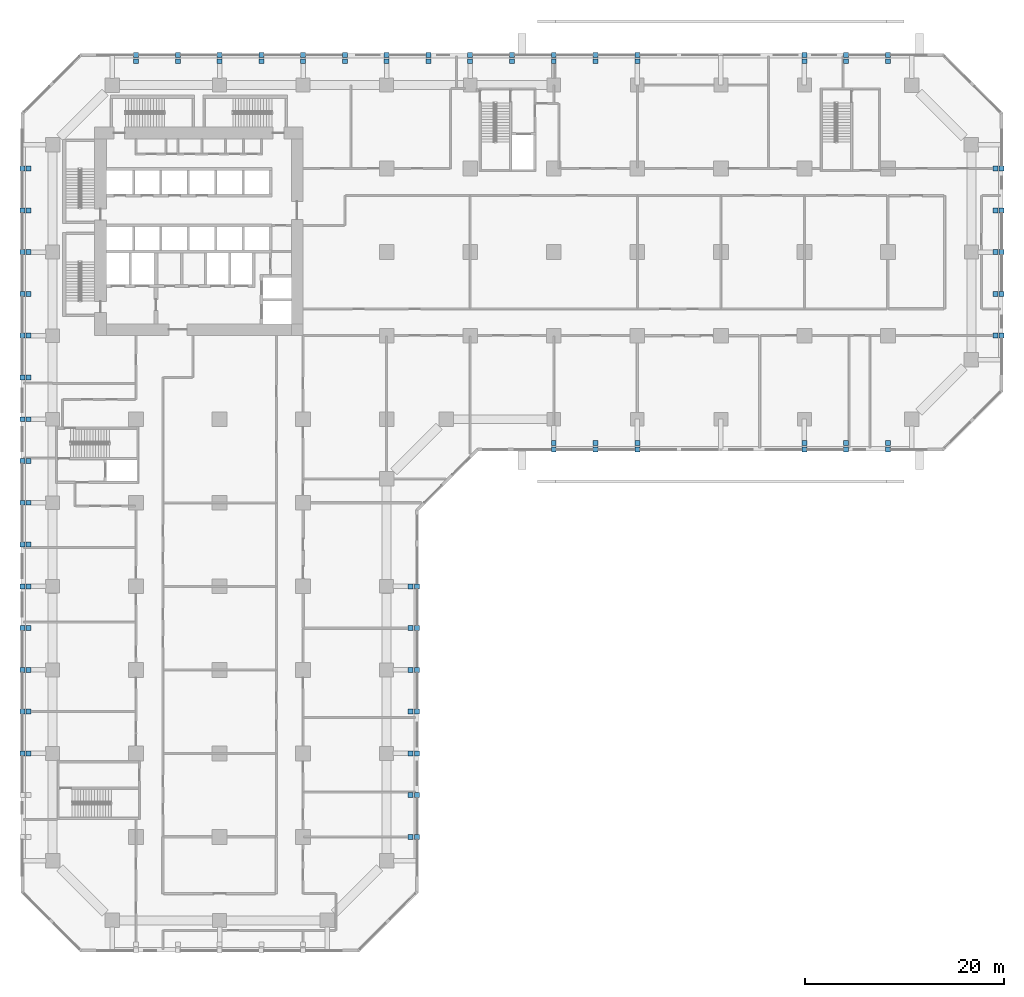
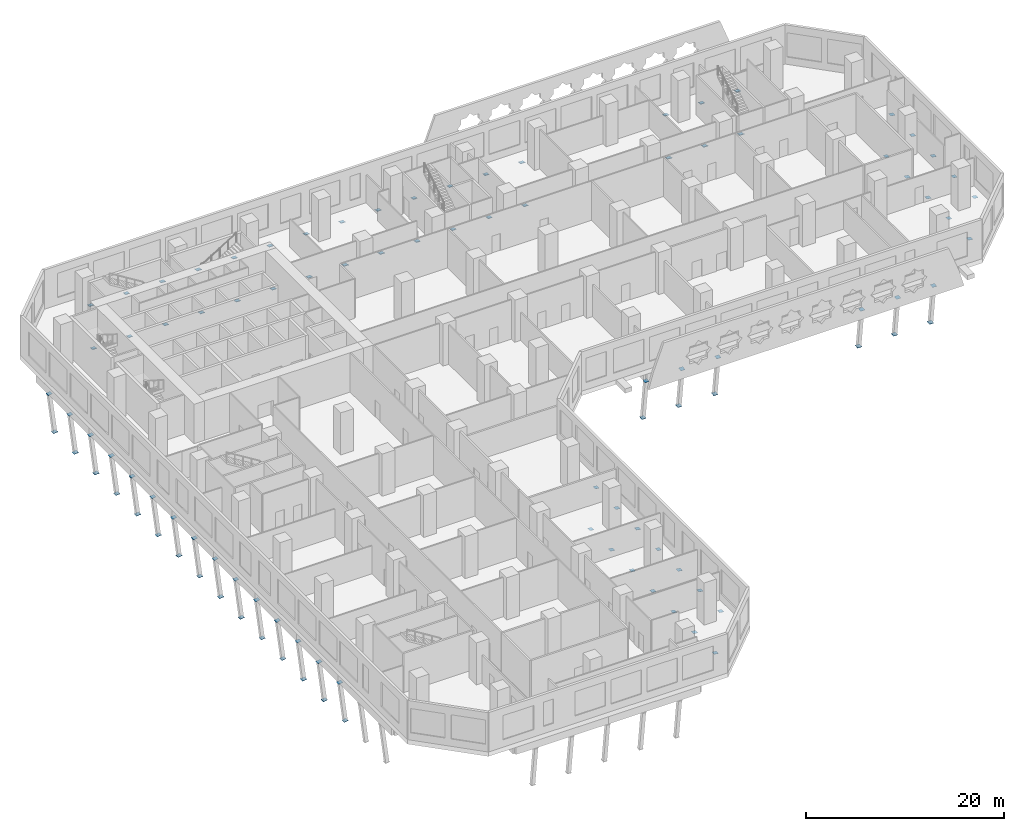
# One storey, part 14 of 21: 98 discrete accessories.
"""IFC4 building model written with IfcOpenShell, lengths in metres."""

from ifc_helpers import new_model, si_unit, direction, frame, origin, origin_2d, place, context, subcontext, project, spatial, rectangle, extrude, material, material_profile, profile_set, type_object, element, save


model = new_model("IFC4")

# Units and contexts
model_context = context("Model", 3, precision=1e-05, world=origin(), true_north=direction((0.0, 1.0)))
body_context = subcontext(model_context, "Body", "Model", "MODEL_VIEW")
ifc_project = project(units=[si_unit("LENGTHUNIT", "METRE"), si_unit("AREAUNIT", "SQUARE_METRE"), si_unit("VOLUMEUNIT", "CUBIC_METRE"), si_unit("PLANEANGLEUNIT", "RADIAN"), si_unit("MASSUNIT", "GRAM", prefix="KILO")], contexts=[model_context])

# Site, building, storey
site_placement = place(None, origin())
site = spatial("IfcSite", under=ifc_project, at=site_placement, CompositionType="ELEMENT")
building_placement = place(site_placement, origin())
building = spatial("IfcBuilding", under=site, at=building_placement, Name="Kawkab Arch Medical Tower", CompositionType="ELEMENT")
storey_placement = place(building_placement, frame((0.0, 0.0, 23.800048828125)))
storey = spatial("IfcBuildingStorey", under=building, at=storey_placement, Name="L05", CompositionType="ELEMENT", Elevation=23.800048828125)

# Discrete accessories
ifc_material = material(Name="Steel S355", Category="steel")
ifc_material_profile = material_profile(ifc_material, rectangle(XDim=0.5, YDim=0.5, at=origin_2d()), Name="End plate 500 x 20")
ifc_profile_set = profile_set([ifc_material_profile], Name="Steel S355")
discrete_accessory_type = type_object("IfcDiscreteAccessoryType", Name="End plate 500 x 20", PredefinedType="ANCHORPLATE", material=ifc_profile_set)
for number, where, z_axis, x_axis, name in (
    (1, (-2.402587890625, -8.39990234375, -6.380126953125), (0.132955393257, 0.0, -0.991122022459), (0.0, 1.0, 0.0), "End plate PRS1"),
    (2, (-3.0283203125, -8.39990234375, -1.469970703125), (-0.132955393257, 0.0, 0.991122022459), (0.0, -1.0, 0.0), "End plate PRS1"),
    (3, (-2.402587890625, -12.60009765625, -6.380126953125), (0.132955393257, 0.0, -0.991122022459), (0.0, 1.0, 0.0), "End plate PRS1"),
    (4, (-3.0283203125, -12.60009765625, -1.469970703125), (-0.132955393257, 0.0, 0.991122022459), (0.0, -1.0, 0.0), "End plate PRS1"),
    (5, (-2.402587890625, -16.800048828125, -6.380126953125), (0.132955393257, 0.0, -0.991122022459), (0.0, 1.0, 0.0), "End plate PRS1"),
    (6, (-3.0283203125, -16.800048828125, -1.469970703125), (-0.132955393257, 0.0, 0.991122022459), (0.0, -1.0, 0.0), "End plate PRS1"),
    (7, (-2.402587890625, -21.0, -6.380126953125), (0.132955393257, 0.0, -0.991122022459), (0.0, 1.0, 0.0), "End plate PRS1"),
    (8, (-3.0283203125, -21.0, -1.469970703125), (-0.132955393257, 0.0, 0.991122022459), (0.0, -1.0, 0.0), "End plate PRS1"),
    (9, (-2.402587890625, -25.199951171875, -6.380126953125), (0.132955393257, 0.0, -0.991122022459), (0.0, 1.0, 0.0), "End plate PRS1"),
    (10, (-3.0283203125, -25.199951171875, -1.469970703125), (-0.132955393257, 0.0, 0.991122022459), (0.0, -1.0, 0.0), "End plate PRS1"),
    (11, (-2.402587890625, -29.39990234375, -6.380126953125), (0.132955393257, 0.0, -0.991122022459), (0.0, 1.0, 0.0), "End plate PRS1"),
    (12, (-3.0283203125, -29.39990234375, -1.469970703125), (-0.132955393257, 0.0, 0.991122022459), (0.0, -1.0, 0.0), "End plate PRS1"),
    (13, (-2.402587890625, -33.60009765625, -6.380126953125), (0.132955393257, 0.0, -0.991122022459), (0.0, 1.0, 0.0), "End plate PRS1"),
    (14, (-3.0283203125, -33.60009765625, -1.469970703125), (-0.132955393257, 0.0, 0.991122022459), (0.0, -1.0, 0.0), "End plate PRS1"),
    (15, (-2.402587890625, -37.800048828125, -6.380126953125), (0.132955393257, 0.0, -0.991122022459), (0.0, 1.0, 0.0), "End plate PRS1"),
    (16, (-3.0283203125, -37.800048828125, -1.469970703125), (-0.132955393257, 0.0, 0.991122022459), (0.0, -1.0, 0.0), "End plate PRS1"),
    (17, (-2.402587890625, -42.0, -6.380126953125), (0.132955393257, 0.0, -0.991122022459), (0.0, 1.0, 0.0), "End plate PRS1"),
    (18, (-3.0283203125, -42.0, -1.469970703125), (-0.132955393257, 0.0, 0.991122022459), (0.0, -1.0, 0.0), "End plate PRS1"),
    (19, (-2.402587890625, -46.199951171875, -6.380126953125), (0.132955393257, 0.0, -0.991122022459), (0.0, 1.0, 0.0), "End plate PRS1"),
    (20, (-3.0283203125, -46.199951171875, -1.469970703125), (-0.132955393257, 0.0, 0.991122022459), (0.0, -1.0, 0.0), "End plate PRS1"),
    (21, (-2.402587890625, -50.39990234375, -6.380126953125), (0.132955393257, 0.0, -0.991122022459), (0.0, 1.0, 0.0), "End plate PRS1"),
    (22, (-3.0283203125, -50.39990234375, -1.469970703125), (-0.132955393257, 0.0, 0.991122022459), (0.0, -1.0, 0.0), "End plate PRS1"),
    (23, (-2.402587890625, -54.60009765625, -6.380126953125), (0.132955393257, 0.0, -0.991122022459), (0.0, 1.0, 0.0), "End plate PRS1"),
    (24, (-3.0283203125, -54.60009765625, -1.469970703125), (-0.132955393257, 0.0, 0.991122022459), (0.0, -1.0, 0.0), "End plate PRS1"),
    (25, (-2.402587890625, -58.800048828125, -6.380126953125), (0.132955393257, 0.0, -0.991122022459), (0.0, 1.0, 0.0), "End plate PRS1"),
    (26, (-3.0283203125, -58.800048828125, -1.469970703125), (-0.132955393257, 0.0, 0.991122022459), (0.0, -1.0, 0.0), "End plate PRS1"),
    (27, (-2.402587890625, -63.0, -6.380126953125), (0.132955393257, 0.0, -0.991122022459), (0.0, 1.0, 0.0), "End plate PRS1"),
    (28, (-3.0283203125, -63.0, -1.469970703125), (-0.132955393257, 0.0, 0.991122022459), (0.0, -1.0, 0.0), "End plate PRS1"),
    (29, (-2.402587890625, -67.199951171875, -6.380126953125), (0.132955393257, 0.0, -0.991122022459), (0.0, 1.0, 0.0), "End plate PRS1"),
    (30, (-3.0283203125, -67.199951171875, -1.469970703125), (-0.132955393257, 0.0, 0.991122022459), (0.0, -1.0, 0.0), "End plate PRS1"),
    (31, (36.00244140625, -50.39990234375, -6.380126953125), (-0.121054375311, 0.0, -0.992645877551), (0.0, -1.0, 0.0), "End plate PRS1"),
    (32, (36.62841796875, -50.39990234375, -1.469970703125), (0.121054375311, 0.0, 0.992645877551), (0.0, 1.0, 0.0), "End plate PRS1"),
    (33, (36.00244140625, -54.60009765625, -6.380126953125), (-0.121054375311, 0.0, -0.992645877551), (0.0, -1.0, 0.0), "End plate PRS1"),
    (34, (36.62841796875, -54.60009765625, -1.469970703125), (0.121054375311, 0.0, 0.992645877551), (0.0, 1.0, 0.0), "End plate PRS1"),
    (35, (36.00244140625, -58.800048828125, -6.380126953125), (-0.121054375311, 0.0, -0.992645877551), (0.0, -1.0, 0.0), "End plate PRS1"),
    (36, (36.62841796875, -58.800048828125, -1.469970703125), (0.121054375311, 0.0, 0.992645877551), (0.0, 1.0, 0.0), "End plate PRS1"),
    (37, (36.00244140625, -63.0, -6.380126953125), (-0.121054375311, 0.0, -0.992645877551), (0.0, -1.0, 0.0), "End plate PRS1"),
    (38, (36.62841796875, -63.0, -1.469970703125), (0.121054375311, 0.0, 0.992645877551), (0.0, 1.0, 0.0), "End plate PRS1"),
    (39, (36.00244140625, -67.199951171875, -6.380126953125), (-0.121054375311, 0.0, -0.992645877551), (0.0, -1.0, 0.0), "End plate PRS1"),
    (40, (36.62841796875, -67.199951171875, -1.469970703125), (0.121054375311, 0.0, 0.992645877551), (0.0, 1.0, 0.0), "End plate PRS1"),
    (41, (36.00244140625, -71.39990234375, -6.380126953125), (-0.121054375311, 0.0, -0.992645877551), (0.0, -1.0, 0.0), "End plate PRS1"),
    (42, (36.62841796875, -71.39990234375, -1.469970703125), (0.121054375311, 0.0, 0.992645877551), (0.0, 1.0, 0.0), "End plate PRS1"),
    (43, (36.00244140625, -75.60009765625, -6.380126953125), (-0.121054375311, 0.0, -0.992645877551), (0.0, -1.0, 0.0), "End plate PRS1"),
    (44, (36.62841796875, -75.60009765625, -1.469970703125), (0.121054375311, 0.0, 0.992645877551), (0.0, 1.0, 0.0), "End plate PRS1"),
    (45, (50.39990234375, -36.00244140625, -6.380126953125), (0.0, 0.121054375311, -0.992645877551), (-1.0, 0.0, 0.0), "End plate PRS1"),
    (46, (50.39990234375, -36.62841796875, -1.469970703125), (0.0, -0.121054375311, 0.992645877551), (1.0, 0.0, 0.0), "End plate PRS1"),
    (47, (54.60009765625, -36.00244140625, -6.380126953125), (0.0, 0.121054375311, -0.992645877551), (-1.0, 0.0, 0.0), "End plate PRS1"),
    (48, (54.60009765625, -36.62841796875, -1.469970703125), (0.0, -0.121054375311, 0.992645877551), (1.0, 0.0, 0.0), "End plate PRS1"),
    (49, (58.800048828125, -36.00244140625, -6.380126953125), (0.0, 0.121054375311, -0.992645877551), (-1.0, 0.0, 0.0), "End plate PRS1"),
    (50, (58.800048828125, -36.62841796875, -1.469970703125), (0.0, -0.121054375311, 0.992645877551), (1.0, 0.0, 0.0), "End plate PRS1"),
    (51, (75.60009765625, -36.00244140625, -6.380126953125), (0.0, 0.121054375311, -0.992645877551), (-1.0, 0.0, 0.0), "End plate PRS1"),
    (52, (75.60009765625, -36.62841796875, -1.469970703125), (0.0, -0.121054375311, 0.992645877551), (1.0, 0.0, 0.0), "End plate PRS1"),
    (53, (79.800048828125, -36.00244140625, -6.380126953125), (0.0, 0.121054375311, -0.992645877551), (-1.0, 0.0, 0.0), "End plate PRS1"),
    (54, (79.800048828125, -36.62841796875, -1.469970703125), (0.0, -0.121054375311, 0.992645877551), (1.0, 0.0, 0.0), "End plate PRS1"),
    (55, (84.0, -36.00244140625, -6.380126953125), (0.0, 0.121054375311, -0.992645877551), (-1.0, 0.0, 0.0), "End plate PRS1"),
    (56, (84.0, -36.62841796875, -1.469970703125), (0.0, -0.121054375311, 0.992645877551), (1.0, 0.0, 0.0), "End plate PRS1"),
    (57, (94.802490234375, -8.39990234375, -6.380126953125), (-0.121054375311, 0.0, -0.992645877551), (0.0, -1.0, 0.0), "End plate PRS1"),
    (58, (95.428466796875, -8.39990234375, -1.469970703125), (0.121054375311, 0.0, 0.992645877551), (0.0, 1.0, 0.0), "End plate PRS1"),
    (59, (94.802490234375, -12.60009765625, -6.380126953125), (-0.121054375311, 0.0, -0.992645877551), (0.0, -1.0, 0.0), "End plate PRS1"),
    (60, (95.428466796875, -12.60009765625, -1.469970703125), (0.121054375311, 0.0, 0.992645877551), (0.0, 1.0, 0.0), "End plate PRS1"),
    (61, (94.802490234375, -16.800048828125, -6.380126953125), (-0.121054375311, 0.0, -0.992645877551), (0.0, -1.0, 0.0), "End plate PRS1"),
    (62, (95.428466796875, -16.800048828125, -1.469970703125), (0.121054375311, 0.0, 0.992645877551), (0.0, 1.0, 0.0), "End plate PRS1"),
    (63, (94.802490234375, -21.0, -6.380126953125), (-0.121054375311, 0.0, -0.992645877551), (0.0, -1.0, 0.0), "End plate PRS1"),
    (64, (95.428466796875, -21.0, -1.469970703125), (0.121054375311, 0.0, 0.992645877551), (0.0, 1.0, 0.0), "End plate PRS1"),
    (65, (94.802490234375, -25.199951171875, -6.380126953125), (-0.121054375311, 0.0, -0.992645877551), (0.0, -1.0, 0.0), "End plate PRS1"),
    (66, (95.428466796875, -25.199951171875, -1.469970703125), (0.121054375311, 0.0, 0.992645877551), (0.0, 1.0, 0.0), "End plate PRS1"),
    (67, (8.39990234375, 2.402587890625, -6.380126953125), (0.0, -0.132955393257, -0.991122022459), (1.0, 0.0, 0.0), "End plate PRS1"),
    (68, (8.39990234375, 3.0283203125, -1.469970703125), (0.0, 0.132955393257, 0.991122022459), (-1.0, 0.0, 0.0), "End plate PRS1"),
    (69, (12.60009765625, 2.402587890625, -6.380126953125), (0.0, -0.132955393257, -0.991122022459), (1.0, 0.0, 0.0), "End plate PRS1"),
    (70, (12.60009765625, 3.0283203125, -1.469970703125), (0.0, 0.132955393257, 0.991122022459), (-1.0, 0.0, 0.0), "End plate PRS1"),
    (71, (16.800048828125, 2.402587890625, -6.380126953125), (0.0, -0.132955393257, -0.991122022459), (1.0, 0.0, 0.0), "End plate PRS1"),
    (72, (16.800048828125, 3.0283203125, -1.469970703125), (0.0, 0.132955393257, 0.991122022459), (-1.0, 0.0, 0.0), "End plate PRS1"),
    (73, (21.0, 2.402587890625, -6.380126953125), (0.0, -0.132955393257, -0.991122022459), (1.0, 0.0, 0.0), "End plate PRS1"),
    (74, (21.0, 3.0283203125, -1.469970703125), (0.0, 0.132955393257, 0.991122022459), (-1.0, 0.0, 0.0), "End plate PRS1"),
    (75, (25.199951171875, 2.402587890625, -6.380126953125), (0.0, -0.132955393257, -0.991122022459), (1.0, 0.0, 0.0), "End plate PRS1"),
    (76, (25.199951171875, 3.0283203125, -1.469970703125), (0.0, 0.132955393257, 0.991122022459), (-1.0, 0.0, 0.0), "End plate PRS1"),
    (77, (29.39990234375, 2.402587890625, -6.380126953125), (0.0, -0.132955393257, -0.991122022459), (1.0, 0.0, 0.0), "End plate PRS1"),
    (78, (29.39990234375, 3.0283203125, -1.469970703125), (0.0, 0.132955393257, 0.991122022459), (-1.0, 0.0, 0.0), "End plate PRS1"),
    (79, (33.60009765625, 2.402587890625, -6.380126953125), (0.0, -0.132955393257, -0.991122022459), (1.0, 0.0, 0.0), "End plate PRS1"),
    (80, (33.60009765625, 3.0283203125, -1.469970703125), (0.0, 0.132955393257, 0.991122022459), (-1.0, 0.0, 0.0), "End plate PRS1"),
    (81, (37.800048828125, 2.402587890625, -6.380126953125), (0.0, -0.132955393257, -0.991122022459), (1.0, 0.0, 0.0), "End plate PRS1"),
    (82, (37.800048828125, 3.0283203125, -1.469970703125), (0.0, 0.132955393257, 0.991122022459), (-1.0, 0.0, 0.0), "End plate PRS1"),
    (83, (42.0, 2.402587890625, -6.380126953125), (0.0, -0.132955393257, -0.991122022459), (1.0, 0.0, 0.0), "End plate PRS1"),
    (84, (42.0, 3.0283203125, -1.469970703125), (0.0, 0.132955393257, 0.991122022459), (-1.0, 0.0, 0.0), "End plate PRS1"),
    (85, (46.199951171875, 2.402587890625, -6.380126953125), (0.0, -0.132955393257, -0.991122022459), (1.0, 0.0, 0.0), "End plate PRS1"),
    (86, (46.199951171875, 3.0283203125, -1.469970703125), (0.0, 0.132955393257, 0.991122022459), (-1.0, 0.0, 0.0), "End plate PRS1"),
    (87, (50.39990234375, 2.402587890625, -6.380126953125), (0.0, -0.132955393257, -0.991122022459), (1.0, 0.0, 0.0), "End plate PRS1"),
    (88, (50.39990234375, 3.0283203125, -1.469970703125), (0.0, 0.132955393257, 0.991122022459), (-1.0, 0.0, 0.0), "End plate PRS1"),
    (89, (54.60009765625, 2.402587890625, -6.380126953125), (0.0, -0.132955393257, -0.991122022459), (1.0, 0.0, 0.0), "End plate PRS1"),
    (90, (54.60009765625, 3.0283203125, -1.469970703125), (0.0, 0.132955393257, 0.991122022459), (-1.0, 0.0, 0.0), "End plate PRS1"),
    (91, (58.800048828125, 2.402587890625, -6.380126953125), (0.0, -0.132955393257, -0.991122022459), (1.0, 0.0, 0.0), "End plate PRS1"),
    (92, (58.800048828125, 3.0283203125, -1.469970703125), (0.0, 0.132955393257, 0.991122022459), (-1.0, 0.0, 0.0), "End plate PRS1"),
    (93, (75.60009765625, 2.402587890625, -6.380126953125), (0.0, -0.132955393257, -0.991122022459), (1.0, 0.0, 0.0), "End plate PRS1"),
    (94, (75.60009765625, 3.0283203125, -1.469970703125), (0.0, 0.132955393257, 0.991122022459), (-1.0, 0.0, 0.0), "End plate PRS1"),
    (95, (79.800048828125, 2.402587890625, -6.380126953125), (0.0, -0.132955393257, -0.991122022459), (1.0, 0.0, 0.0), "End plate PRS1"),
    (96, (79.800048828125, 3.0283203125, -1.469970703125), (0.0, 0.132955393257, 0.991122022459), (-1.0, 0.0, 0.0), "End plate PRS1"),
    (97, (84.0, 2.402587890625, -6.380126953125), (0.0, -0.132955393257, -0.991122022459), (1.0, 0.0, 0.0), "End plate PRS1"),
    (98, (84.0, 3.0283203125, -1.469970703125), (0.0, 0.132955393257, 0.991122022459), (-1.0, 0.0, 0.0), "End plate PRS1"),
):
    element("IfcDiscreteAccessory", number, at=place(storey_placement, frame(where, z_axis=z_axis, x_axis=x_axis)), inside=storey, type_object=discrete_accessory_type, Name=name, PredefinedType="ANCHORPLATE", context=body_context, shape_type="SweptSolid", body=[
        extrude(rectangle(XDim=0.5, YDim=0.5, at=origin_2d()), origin(), (0.0, 0.0, 1.0), 0.020263671875),
    ])

save(model, "model.ifc")
